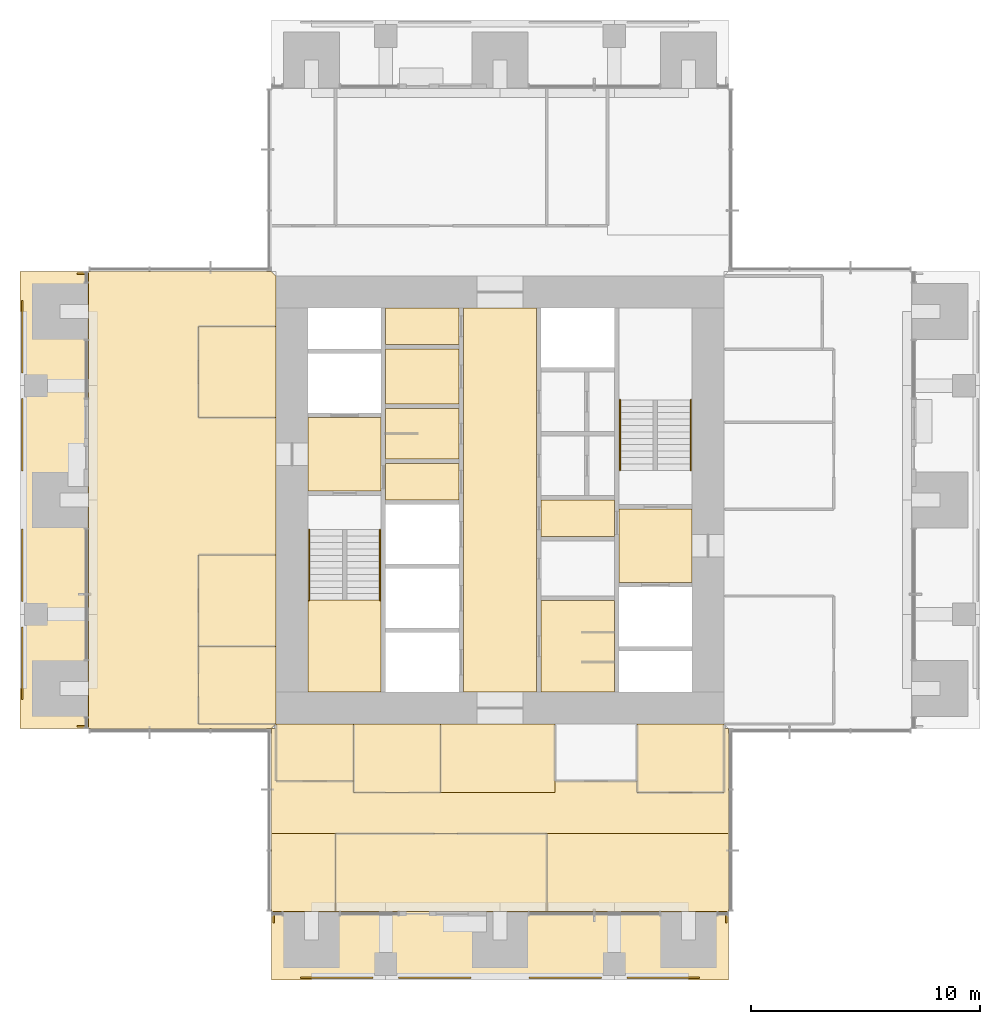
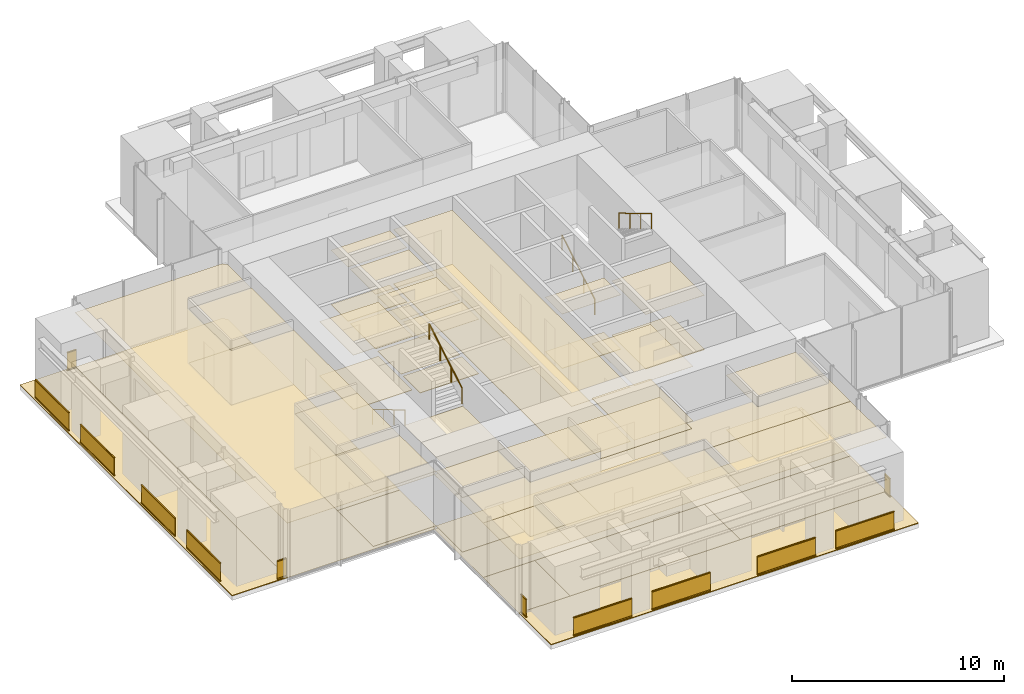
# One storey, part 15 of 17: 45 coverings, 16 railings.
"""IFC4 building model written with IfcOpenShell, lengths in metres."""

from ifc_helpers import new_model, si_unit, direction, frame, origin, origin_2d, place, context, subcontext, project, spatial, polyline, rectangle, circle, outline, extrude, material, layer, layer_set, type_object, element, save


model = new_model("IFC4")

# Units and contexts
model_context = context("Model", 3, precision=1e-05, world=origin(), true_north=direction((0.0, 1.0)))
body_context = subcontext(model_context, "Body", "Model", "MODEL_VIEW")
ifc_project = project(units=[si_unit("LENGTHUNIT", "METRE"), si_unit("AREAUNIT", "SQUARE_METRE"), si_unit("VOLUMEUNIT", "CUBIC_METRE"), si_unit("PLANEANGLEUNIT", "RADIAN"), si_unit("MASSUNIT", "GRAM", prefix="KILO")], contexts=[model_context])

# Site, building, storey
site_placement = place(None, origin())
site = spatial("IfcSite", under=ifc_project, at=site_placement, CompositionType="ELEMENT")
building_placement = place(site_placement, origin())
building = spatial("IfcBuilding", under=site, at=building_placement, Name="Svetlomir Tower", CompositionType="ELEMENT")
storey_placement = place(building_placement, frame((0.0, 0.0, 190.5)))
storey = spatial("IfcBuildingStorey", under=building, at=storey_placement, Name="L45", CompositionType="ELEMENT", Elevation=190.5)

# Railings
ifc_material_1 = material(Name="Bronze anodised aluminium and laminated glass", Category="aluminium")
railing_type_1 = type_object("IfcRailingType", Name="BALCONY GUARD GR1 1100", PredefinedType="GUARDRAIL", material=ifc_material_1)
for number, where, name in (
    (1, (12.27490234375, 0.10009765625, 0.0), "Loggia guard S L45 bay 1"),
    (2, (16.550048828125, 0.10009765625, 0.0), "Loggia guard S L45 bay 2"),
    (3, (22.27490234375, 0.10009765625, 0.0), "Loggia guard S L45 bay 3"),
    (4, (26.550048828125, 0.10009765625, 0.0), "Loggia guard S L45 bay 4"),
):
    element("IfcRailing", number, at=place(storey_placement, frame(where)), inside=storey, type_object=railing_type_1, Name=name, PredefinedType="GUARDRAIL", context=body_context, shape_type="SweptSolid", body=[
        extrude(rectangle(XDim=0.06005859375, YDim=0.10009765625, at=origin_2d()), frame((0.0, 0.0, 0.050048828125), z_axis=(1.0, 0.0, 0.0), x_axis=(0.0, 1.0, 0.0)), (0.0, 0.0, 1.0), 3.175048828125),
        extrude(rectangle(XDim=0.021484375, YDim=0.960205078125, at=origin_2d()), frame((0.0, 0.0, 0.580078125), z_axis=(1.0, 0.0, 0.0), x_axis=(0.0, 1.0, 0.0)), (0.0, 0.0, 1.0), 3.175048828125),
        extrude(rectangle(XDim=0.06005859375, YDim=0.0400390625, at=origin_2d()), frame((0.0, 0.0, 1.080078125), z_axis=(1.0, 0.0, 0.0), x_axis=(0.0, 1.0, 0.0)), (0.0, 0.0, 1.0), 3.175048828125),
    ])
for number, where, name in (
    (5, (11.10009765625, 2.5, 0.0), "Loggia guard S L45 end 1"),
    (6, (30.89990234375, 2.5, 0.0), "Loggia guard S L45 end 2"),
):
    element("IfcRailing", number, at=place(storey_placement, frame(where)), inside=storey, type_object=railing_type_1, Name=name, PredefinedType="GUARDRAIL", context=body_context, shape_type="SweptSolid", body=[
        extrude(rectangle(XDim=0.06005859375, YDim=0.10009765625, at=origin_2d()), frame((0.0, 0.0, 0.050048828125), z_axis=(0.0, 1.0, 0.0), x_axis=(-1.0, 0.0, 0.0)), (0.0, 0.0, 1.0), 0.5),
        extrude(rectangle(XDim=0.021484375, YDim=0.960205078125, at=origin_2d()), frame((0.0, 0.0, 0.580078125), z_axis=(0.0, 1.0, 0.0), x_axis=(-1.0, 0.0, 0.0)), (0.0, 0.0, 1.0), 0.5),
        extrude(rectangle(XDim=0.06005859375, YDim=0.0400390625, at=origin_2d()), frame((0.0, 0.0, 1.080078125), z_axis=(0.0, 1.0, 0.0), x_axis=(-1.0, 0.0, 0.0)), (0.0, 0.0, 1.0), 0.5),
    ])
for number, where, name in (
    (7, (0.10009765625, 12.27490234375, 0.0), "Loggia guard W L45 bay 1"),
    (8, (0.10009765625, 16.550048828125, 0.0), "Loggia guard W L45 bay 2"),
    (9, (0.10009765625, 22.27490234375, 0.0), "Loggia guard W L45 bay 3"),
    (10, (0.10009765625, 26.550048828125, 0.0), "Loggia guard W L45 bay 4"),
):
    element("IfcRailing", number, at=place(storey_placement, frame(where)), inside=storey, type_object=railing_type_1, Name=name, PredefinedType="GUARDRAIL", context=body_context, shape_type="SweptSolid", body=[
        extrude(rectangle(XDim=0.06005859375, YDim=0.10009765625, at=origin_2d()), frame((0.0, 0.0, 0.050048828125), z_axis=(0.0, 1.0, 0.0), x_axis=(-1.0, 0.0, 0.0)), (0.0, 0.0, 1.0), 3.175048828125),
        extrude(rectangle(XDim=0.021484375, YDim=0.960205078125, at=origin_2d()), frame((0.0, 0.0, 0.580078125), z_axis=(0.0, 1.0, 0.0), x_axis=(-1.0, 0.0, 0.0)), (0.0, 0.0, 1.0), 3.175048828125),
        extrude(rectangle(XDim=0.06005859375, YDim=0.0400390625, at=origin_2d()), frame((0.0, 0.0, 1.080078125), z_axis=(0.0, 1.0, 0.0), x_axis=(-1.0, 0.0, 0.0)), (0.0, 0.0, 1.0), 3.175048828125),
    ])
for number, where, name in (
    (11, (2.5, 11.10009765625, 0.0), "Loggia guard W L45 end 1"),
    (12, (2.5, 30.89990234375, 0.0), "Loggia guard W L45 end 2"),
):
    element("IfcRailing", number, at=place(storey_placement, frame(where)), inside=storey, type_object=railing_type_1, Name=name, PredefinedType="GUARDRAIL", context=body_context, shape_type="SweptSolid", body=[
        extrude(rectangle(XDim=0.06005859375, YDim=0.10009765625, at=origin_2d()), frame((0.0, 0.0, 0.050048828125), z_axis=(1.0, 0.0, 0.0), x_axis=(0.0, 1.0, 0.0)), (0.0, 0.0, 1.0), 0.5),
        extrude(rectangle(XDim=0.021484375, YDim=0.960205078125, at=origin_2d()), frame((0.0, 0.0, 0.580078125), z_axis=(1.0, 0.0, 0.0), x_axis=(0.0, 1.0, 0.0)), (0.0, 0.0, 1.0), 0.5),
        extrude(rectangle(XDim=0.06005859375, YDim=0.0400390625, at=origin_2d()), frame((0.0, 0.0, 1.080078125), z_axis=(1.0, 0.0, 0.0), x_axis=(0.0, 1.0, 0.0)), (0.0, 0.0, 1.0), 0.5),
    ])

# Coverings
ifc_material_2 = material(Name="Granite paving slabs on pedestals", Category="masonry")
ifc_layer_1 = layer(ifc_material_2, 0.0400390625)
ifc_layer_set_1 = layer_set([ifc_layer_1], Name="Granite paving slabs on pedestals")
covering_type_1 = type_object("IfcCoveringType", Name="BALCONY PAVING 40", PredefinedType="USERDEFINED", material=ifc_layer_set_1)
covering_1_placement = place(storey_placement, origin())
element("IfcCovering", 13, at=covering_1_placement, inside=storey, type_object=covering_type_1, Name="Loggia paving S L45", ObjectType="BALCONY PAVING", PredefinedType="USERDEFINED", context=body_context, shape_type="SweptSolid", body=[
    extrude(outline(polyline([(11.0, 0.0), (31.0, 0.0), (31.0, 3.0), (11.0, 3.0), (11.0, 0.0)])), origin(), (0.0, 0.0, 1.0), 0.0400390625),
])
covering_2_placement = place(storey_placement, origin())
element("IfcCovering", 14, at=covering_2_placement, inside=storey, type_object=covering_type_1, Name="Loggia paving W L45", ObjectType="BALCONY PAVING", PredefinedType="USERDEFINED", context=body_context, shape_type="SweptSolid", body=[
    extrude(outline(polyline([(0.0, 11.0), (3.0, 11.0), (3.0, 31.0), (0.0, 31.0), (0.0, 11.0)])), origin(), (0.0, 0.0, 1.0), 0.0400390625),
])
ifc_material_3 = material(Name="Carpet tile", Category="textile")
ifc_layer_2 = layer(ifc_material_3, 0.010009765625)
ifc_layer_set_2 = layer_set([ifc_layer_2], Name="Carpet tile")
covering_type_2 = type_object("IfcCoveringType", Name="CARPET TILE FLOOR 10", PredefinedType="FLOORING", material=ifc_layer_set_2)
covering_3_placement = place(storey_placement, origin())
element("IfcCovering", 15, at=covering_3_placement, inside=storey, type_object=covering_type_2, Name="Floor finish L45-17", PredefinedType="FLOORING", context=body_context, shape_type="SweptSolid", body=[
    extrude(outline(polyline([(11.199951171875, 8.699951171875), (14.60009765625, 8.699951171875), (14.60009765625, 11.199951171875), (11.199951171875, 11.199951171875), (11.199951171875, 8.699951171875)])), origin(), (0.0, 0.0, 1.0), 0.010009765625),
])
covering_4_placement = place(storey_placement, origin())
element("IfcCovering", 16, at=covering_4_placement, inside=storey, type_object=covering_type_2, Name="Floor finish L45-18", PredefinedType="FLOORING", context=body_context, shape_type="SweptSolid", body=[
    extrude(outline(polyline([(14.60009765625, 8.199951171875), (18.39990234375, 8.199951171875), (18.39990234375, 11.199951171875), (14.60009765625, 11.199951171875), (14.60009765625, 8.199951171875)])), origin(), (0.0, 0.0, 1.0), 0.010009765625),
])
covering_5_placement = place(storey_placement, origin())
element("IfcCovering", 17, at=covering_5_placement, inside=storey, type_object=covering_type_2, Name="Floor finish L45-20", PredefinedType="FLOORING", context=body_context, shape_type="SweptSolid", body=[
    extrude(outline(polyline([(27.0, 8.199951171875), (30.800048828125, 8.199951171875), (30.800048828125, 11.199951171875), (27.0, 11.199951171875), (27.0, 8.199951171875)])), origin(), (0.0, 0.0, 1.0), 0.010009765625),
])
covering_6_placement = place(storey_placement, origin())
element("IfcCovering", 18, at=covering_6_placement, inside=storey, type_object=covering_type_2, Name="Floor finish L45-21", PredefinedType="FLOORING", context=body_context, shape_type="SweptSolid", body=[
    extrude(outline(polyline([(13.800048828125, 3.0), (23.050048828125, 3.0), (23.050048828125, 6.39990234375), (13.800048828125, 6.39990234375), (13.800048828125, 3.0)])), origin(), (0.0, 0.0, 1.0), 0.010009765625),
])
covering_7_placement = place(storey_placement, origin())
element("IfcCovering", 19, at=covering_7_placement, inside=storey, type_object=covering_type_2, Name="Floor finish L45-29", PredefinedType="FLOORING", context=body_context, shape_type="SweptSolid", body=[
    extrude(outline(polyline([(7.800048828125, 11.199951171875), (11.199951171875, 11.199951171875), (11.199951171875, 14.60009765625), (7.800048828125, 14.60009765625), (7.800048828125, 11.199951171875)])), origin(), (0.0, 0.0, 1.0), 0.010009765625),
])
covering_8_placement = place(storey_placement, origin())
element("IfcCovering", 20, at=covering_8_placement, inside=storey, type_object=covering_type_2, Name="Floor finish L45-30", PredefinedType="FLOORING", context=body_context, shape_type="SweptSolid", body=[
    extrude(outline(polyline([(7.800048828125, 14.60009765625), (11.199951171875, 14.60009765625), (11.199951171875, 18.60009765625), (7.800048828125, 18.60009765625), (7.800048828125, 14.60009765625)])), origin(), (0.0, 0.0, 1.0), 0.010009765625),
])
covering_9_placement = place(storey_placement, origin())
element("IfcCovering", 21, at=covering_9_placement, inside=storey, type_object=covering_type_2, Name="Floor finish L45-31", PredefinedType="FLOORING", context=body_context, shape_type="SweptSolid", body=[
    extrude(outline(polyline([(7.800048828125, 24.60009765625), (11.199951171875, 24.60009765625), (11.199951171875, 28.60009765625), (7.800048828125, 28.60009765625), (7.800048828125, 24.60009765625)])), origin(), (0.0, 0.0, 1.0), 0.010009765625),
])
covering_10_placement = place(storey_placement, origin())
element("IfcCovering", 22, at=covering_10_placement, inside=storey, type_object=covering_type_2, Name="Floor finish L45-32", PredefinedType="FLOORING", context=body_context, shape_type="SweptSolid", body=[
    extrude(outline(polyline([(31.0, 6.39990234375), (11.0, 6.39990234375), (11.0, 11.0), (11.199951171875, 11.0), (11.199951171875, 8.699951171875), (14.60009765625, 8.699951171875), (14.60009765625, 8.199951171875), (23.39990234375, 8.199951171875), (23.39990234375, 8.699951171875), (27.0, 8.699951171875), (27.0, 8.199951171875), (30.800048828125, 8.199951171875), (30.800048828125, 11.0), (31.0, 11.0), (31.0, 6.39990234375)])), origin(), (0.0, 0.0, 1.0), 0.010009765625),
])
covering_11_placement = place(storey_placement, origin())
element("IfcCovering", 23, at=covering_11_placement, inside=storey, type_object=covering_type_2, Name="Floor finish L45-34", PredefinedType="FLOORING", context=body_context, shape_type="SweptSolid", body=[
    extrude(outline(polyline([(13.800048828125, 6.39990234375), (13.800048828125, 3.0), (11.0, 3.0), (11.0, 6.39990234375), (13.800048828125, 6.39990234375)])), origin(), (0.0, 0.0, 1.0), 0.010009765625),
])
covering_12_placement = place(storey_placement, origin())
element("IfcCovering", 24, at=covering_12_placement, inside=storey, type_object=covering_type_2, Name="Floor finish L45-35", PredefinedType="FLOORING", context=body_context, shape_type="SweptSolid", body=[
    extrude(outline(polyline([(23.050048828125, 3.0), (23.050048828125, 6.39990234375), (31.0, 6.39990234375), (31.0, 3.0), (23.050048828125, 3.0)])), origin(), (0.0, 0.0, 1.0), 0.010009765625),
])
covering_13_placement = place(storey_placement, origin())
element("IfcCovering", 25, at=covering_13_placement, inside=storey, type_object=covering_type_2, Name="Floor finish L45-36", PredefinedType="FLOORING", context=body_context, shape_type="SweptSolid", body=[
    extrude(outline(polyline([(23.39990234375, 11.199951171875), (23.39990234375, 8.199951171875), (18.39990234375, 8.199951171875), (18.39990234375, 11.199951171875), (23.39990234375, 11.199951171875)])), origin(), (0.0, 0.0, 1.0), 0.010009765625),
])
covering_14_placement = place(storey_placement, origin())
element("IfcCovering", 26, at=covering_14_placement, inside=storey, type_object=covering_type_2, Name="Floor finish L45-39", PredefinedType="FLOORING", context=body_context, shape_type="SweptSolid", body=[
    extrude(outline(polyline([(3.0, 31.0), (11.0, 31.0), (11.199951171875, 30.800048828125), (11.199951171875, 28.60009765625), (7.800048828125, 28.60009765625), (7.800048828125, 24.60009765625), (11.199951171875, 24.60009765625), (11.199951171875, 18.60009765625), (7.800048828125, 18.60009765625), (7.800048828125, 11.199951171875), (11.199951171875, 11.199951171875), (11.0, 11.0), (3.0, 11.0), (3.0, 31.0)])), origin(), (0.0, 0.0, 1.0), 0.010009765625),
])
ifc_material_4 = material(Name="Ceramic floor tile", Category="ceramic")
ifc_layer_3 = layer(ifc_material_4, 0.014892578125)
ifc_layer_set_3 = layer_set([ifc_layer_3], Name="Ceramic floor tile")
covering_type_3 = type_object("IfcCoveringType", Name="CERAMIC TILE FLOOR 15", PredefinedType="FLOORING", material=ifc_layer_set_3)
covering_15_placement = place(storey_placement, origin())
element("IfcCovering", 27, at=covering_15_placement, inside=storey, type_object=covering_type_3, Name="Floor finish L45-04", PredefinedType="FLOORING", context=body_context, shape_type="SweptSolid", body=[
    extrude(outline(polyline([(16.0, 22.800048828125), (19.199951171875, 22.800048828125), (19.199951171875, 25.0), (16.0, 25.0), (16.0, 22.800048828125)])), origin(), (0.0, 0.0, 1.0), 0.014892578125),
])
covering_16_placement = place(storey_placement, origin())
element("IfcCovering", 28, at=covering_16_placement, inside=storey, type_object=covering_type_3, Name="Floor finish L45-05", PredefinedType="FLOORING", context=body_context, shape_type="SweptSolid", body=[
    extrude(outline(polyline([(16.0, 25.199951171875), (19.199951171875, 25.199951171875), (19.199951171875, 27.60009765625), (16.0, 27.60009765625), (16.0, 25.199951171875)])), origin(), (0.0, 0.0, 1.0), 0.014892578125),
])
covering_17_placement = place(storey_placement, origin())
element("IfcCovering", 29, at=covering_17_placement, inside=storey, type_object=covering_type_3, Name="Floor finish L45-08", PredefinedType="FLOORING", context=body_context, shape_type="SweptSolid", body=[
    extrude(outline(polyline([(22.800048828125, 12.60009765625), (26.0, 12.60009765625), (26.0, 16.60009765625), (22.800048828125, 16.60009765625), (22.800048828125, 12.60009765625)])), origin(), (0.0, 0.0, 1.0), 0.014892578125),
])

# Railings
ifc_material_5 = material(Name="Stainless steel", Category="steel")
railing_type_2 = type_object("IfcRailingType", Name="HANDRAIL HR1 900", PredefinedType="HANDRAIL", material=ifc_material_5)
railing_1_placement = place(storey_placement, frame((12.64990234375, 19.699951171875, 0.166748046875)))
element("IfcRailing", 30, at=railing_1_placement, inside=storey, type_object=railing_type_2, Name="Handrail S1 flight 1 L45", PredefinedType="HANDRAIL", context=body_context, shape_type="SweptSolid", body=[
    extrude(circle(Radius=0.02392578125, at=origin_2d()), frame((0.0, 0.0, 0.8759765625), z_axis=(0.0, -0.859290745958, 0.51148745235), x_axis=(1.0, 0.0, 0.0)), (0.0, 0.0, 1.0), 3.584228515625),
    extrude(circle(Radius=0.02099609375, at=origin_2d()), origin(), (0.0, 0.0, 1.0), 0.851806640625),
    extrude(circle(Radius=0.02099609375, at=origin_2d()), frame((0.0, -1.026611328125, 0.611083984375)), (0.0, 0.0, 1.0), 0.851806640625),
    extrude(circle(Radius=0.02099609375, at=origin_2d()), frame((0.0, -2.05322265625, 1.22216796875)), (0.0, 0.0, 1.0), 0.851806640625),
    extrude(circle(Radius=0.02099609375, at=origin_2d()), frame((0.0, -3.079833984375, 1.833251953125)), (0.0, 0.0, 1.0), 0.851806640625),
])
for number, where, name in (
    (31, (15.75, 16.6201171875, 2.166748046875), "Handrail S1 flight 2 L45"),
    (32, (26.25, 22.300048828125, 0.166748046875), "Handrail S2 flight 1 L45"),
):
    element("IfcRailing", number, at=place(storey_placement, frame(where)), inside=storey, type_object=railing_type_2, Name=name, PredefinedType="HANDRAIL", context=body_context, shape_type="SweptSolid", body=[
        extrude(circle(Radius=0.02392578125, at=origin_2d()), frame((0.0, 0.0, 0.8759765625), z_axis=(0.0, 0.859290745958, 0.51148745235), x_axis=(-1.0, 0.0, 0.0)), (0.0, 0.0, 1.0), 3.584228515625),
        extrude(circle(Radius=0.02099609375, at=origin_2d()), origin(), (0.0, 0.0, 1.0), 0.851806640625),
        extrude(circle(Radius=0.02099609375, at=origin_2d()), frame((0.0, 1.026611328125, 0.611083984375)), (0.0, 0.0, 1.0), 0.851806640625),
        extrude(circle(Radius=0.02099609375, at=origin_2d()), frame((0.0, 2.05322265625, 1.22216796875)), (0.0, 0.0, 1.0), 0.851806640625),
        extrude(circle(Radius=0.02099609375, at=origin_2d()), frame((0.0, 3.079833984375, 1.833251953125)), (0.0, 0.0, 1.0), 0.851806640625),
    ])
railing_2_placement = place(storey_placement, frame((29.35009765625, 25.3798828125, 2.166748046875)))
element("IfcRailing", 33, at=railing_2_placement, inside=storey, type_object=railing_type_2, Name="Handrail S2 flight 2 L45", PredefinedType="HANDRAIL", context=body_context, shape_type="SweptSolid", body=[
    extrude(circle(Radius=0.02392578125, at=origin_2d()), frame((0.0, 0.0, 0.8759765625), z_axis=(0.0, -0.859290745958, 0.51148745235), x_axis=(1.0, 0.0, 0.0)), (0.0, 0.0, 1.0), 3.584228515625),
    extrude(circle(Radius=0.02099609375, at=origin_2d()), origin(), (0.0, 0.0, 1.0), 0.851806640625),
    extrude(circle(Radius=0.02099609375, at=origin_2d()), frame((0.0, -1.026611328125, 0.611083984375)), (0.0, 0.0, 1.0), 0.851806640625),
    extrude(circle(Radius=0.02099609375, at=origin_2d()), frame((0.0, -2.05322265625, 1.22216796875)), (0.0, 0.0, 1.0), 0.851806640625),
    extrude(circle(Radius=0.02099609375, at=origin_2d()), frame((0.0, -3.079833984375, 1.833251953125)), (0.0, 0.0, 1.0), 0.851806640625),
])

# Coverings
ifc_material_6 = material(Name="Moisture resistant plasterboard ceiling", Category="gypsum")
ifc_layer_4 = layer(ifc_material_6, 0.012451171875)
ifc_layer_set_4 = layer_set([ifc_layer_4], Name="Moisture resistant plasterboard ceiling")
covering_type_4 = type_object("IfcCoveringType", Name="MOISTURE RESISTANT CEILING 12.5", PredefinedType="CEILING", material=ifc_layer_set_4)
covering_18_placement = place(storey_placement, frame((0.0, 0.0, 3.137451171875)))
element("IfcCovering", 34, at=covering_18_placement, inside=storey, type_object=covering_type_4, Name="Ceiling L45-04", PredefinedType="CEILING", context=body_context, shape_type="SweptSolid", body=[
    extrude(outline(polyline([(16.0, 22.800048828125), (19.199951171875, 22.800048828125), (19.199951171875, 25.0), (16.0, 25.0), (16.0, 22.800048828125)])), origin(), (0.0, 0.0, 1.0), 0.012451171875),
])
covering_19_placement = place(storey_placement, frame((0.0, 0.0, 3.137451171875)))
element("IfcCovering", 35, at=covering_19_placement, inside=storey, type_object=covering_type_4, Name="Ceiling L45-05", PredefinedType="CEILING", context=body_context, shape_type="SweptSolid", body=[
    extrude(outline(polyline([(16.0, 25.199951171875), (19.199951171875, 25.199951171875), (19.199951171875, 27.60009765625), (16.0, 27.60009765625), (16.0, 25.199951171875)])), origin(), (0.0, 0.0, 1.0), 0.012451171875),
])
covering_20_placement = place(storey_placement, frame((0.0, 0.0, 3.137451171875)))
element("IfcCovering", 36, at=covering_20_placement, inside=storey, type_object=covering_type_4, Name="Ceiling L45-08", PredefinedType="CEILING", context=body_context, shape_type="SweptSolid", body=[
    extrude(outline(polyline([(22.800048828125, 12.60009765625), (26.0, 12.60009765625), (26.0, 16.60009765625), (22.800048828125, 16.60009765625), (22.800048828125, 12.60009765625)])), origin(), (0.0, 0.0, 1.0), 0.012451171875),
])
ifc_material_7 = material(Name="Gypsum plasterboard ceiling", Category="gypsum")
ifc_layer_5 = layer(ifc_material_7, 0.014892578125)
ifc_layer_set_5 = layer_set([ifc_layer_5], Name="Gypsum plasterboard ceiling")
covering_type_5 = type_object("IfcCoveringType", Name="PLASTERBOARD CEILING 15", PredefinedType="CEILING", material=ifc_layer_set_5)
covering_21_placement = place(storey_placement, frame((0.0, 0.0, 3.135009765625)))
element("IfcCovering", 37, at=covering_21_placement, inside=storey, type_object=covering_type_5, Name="Ceiling L45-02", PredefinedType="CEILING", context=body_context, shape_type="SweptSolid", body=[
    extrude(outline(polyline([(12.60009765625, 21.39990234375), (15.800048828125, 21.39990234375), (15.800048828125, 24.60009765625), (12.60009765625, 24.60009765625), (12.60009765625, 21.39990234375)])), origin(), (0.0, 0.0, 1.0), 0.014892578125),
])
covering_22_placement = place(storey_placement, frame((0.0, 0.0, 3.135009765625)))
element("IfcCovering", 38, at=covering_22_placement, inside=storey, type_object=covering_type_5, Name="Ceiling L45-03", PredefinedType="CEILING", context=body_context, shape_type="SweptSolid", body=[
    extrude(outline(polyline([(16.0, 21.0), (19.199951171875, 21.0), (19.199951171875, 22.60009765625), (16.0, 22.60009765625), (16.0, 21.0)])), origin(), (0.0, 0.0, 1.0), 0.014892578125),
])
covering_23_placement = place(storey_placement, frame((0.0, 0.0, 3.135009765625)))
element("IfcCovering", 39, at=covering_23_placement, inside=storey, type_object=covering_type_5, Name="Ceiling L45-06", PredefinedType="CEILING", context=body_context, shape_type="SweptSolid", body=[
    extrude(outline(polyline([(16.0, 27.800048828125), (19.199951171875, 27.800048828125), (19.199951171875, 29.39990234375), (16.0, 29.39990234375), (16.0, 27.800048828125)])), origin(), (0.0, 0.0, 1.0), 0.014892578125),
])
covering_24_placement = place(storey_placement, frame((0.0, 0.0, 3.135009765625)))
element("IfcCovering", 40, at=covering_24_placement, inside=storey, type_object=covering_type_5, Name="Ceiling L45-07", PredefinedType="CEILING", context=body_context, shape_type="SweptSolid", body=[
    extrude(outline(polyline([(19.39990234375, 12.60009765625), (22.60009765625, 12.60009765625), (22.60009765625, 29.39990234375), (19.39990234375, 29.39990234375), (19.39990234375, 12.60009765625)])), origin(), (0.0, 0.0, 1.0), 0.014892578125),
])
covering_25_placement = place(storey_placement, frame((0.0, 0.0, 3.135009765625)))
element("IfcCovering", 41, at=covering_25_placement, inside=storey, type_object=covering_type_5, Name="Ceiling L45-10", PredefinedType="CEILING", context=body_context, shape_type="SweptSolid", body=[
    extrude(outline(polyline([(22.800048828125, 19.39990234375), (26.0, 19.39990234375), (26.0, 21.0), (22.800048828125, 21.0), (22.800048828125, 19.39990234375)])), origin(), (0.0, 0.0, 1.0), 0.014892578125),
])
covering_26_placement = place(storey_placement, frame((0.0, 0.0, 3.135009765625)))
element("IfcCovering", 42, at=covering_26_placement, inside=storey, type_object=covering_type_5, Name="Ceiling L45-11", PredefinedType="CEILING", context=body_context, shape_type="SweptSolid", body=[
    extrude(outline(polyline([(26.199951171875, 17.39990234375), (29.39990234375, 17.39990234375), (29.39990234375, 20.60009765625), (26.199951171875, 20.60009765625), (26.199951171875, 17.39990234375)])), origin(), (0.0, 0.0, 1.0), 0.014892578125),
])
ifc_material_8 = material(Name="Studded rubber floor finish", Category="rubber")
ifc_layer_6 = layer(ifc_material_8, 0.006103515625)
ifc_layer_set_6 = layer_set([ifc_layer_6], Name="Studded rubber floor finish")
covering_type_6 = type_object("IfcCoveringType", Name="RUBBER LANDING FINISH 6", PredefinedType="FLOORING", material=ifc_layer_set_6)
covering_27_placement = place(storey_placement, frame((0.0, 0.0, 2.0)))
element("IfcCovering", 43, at=covering_27_placement, inside=storey, type_object=covering_type_6, Name="Stair S1 landing finish L45", PredefinedType="FLOORING", context=body_context, shape_type="SweptSolid", body=[
    extrude(outline(polyline([(12.60009765625, 12.60009765625), (15.800048828125, 12.60009765625), (15.800048828125, 16.6201171875), (12.60009765625, 16.6201171875), (12.60009765625, 12.60009765625)])), origin(), (0.0, 0.0, 1.0), 0.006103515625),
])
ifc_material_9 = material(Name="Mineral fibre ceiling tile", Category="mineral")
ifc_layer_7 = layer(ifc_material_9, 0.02001953125)
ifc_layer_set_7 = layer_set([ifc_layer_7], Name="Mineral fibre ceiling tile")
covering_type_7 = type_object("IfcCoveringType", Name="SUSPENDED CEILING 20", PredefinedType="CEILING", material=ifc_layer_set_7)
covering_28_placement = place(storey_placement, frame((0.0, 0.0, 3.1298828125)))
element("IfcCovering", 44, at=covering_28_placement, inside=storey, type_object=covering_type_7, Name="Ceiling L45-17", PredefinedType="CEILING", context=body_context, shape_type="SweptSolid", body=[
    extrude(outline(polyline([(11.199951171875, 8.699951171875), (14.60009765625, 8.699951171875), (14.60009765625, 11.199951171875), (11.199951171875, 11.199951171875), (11.199951171875, 8.699951171875)])), origin(), (0.0, 0.0, 1.0), 0.02001953125),
])
covering_29_placement = place(storey_placement, frame((0.0, 0.0, 3.1298828125)))
element("IfcCovering", 45, at=covering_29_placement, inside=storey, type_object=covering_type_7, Name="Ceiling L45-18", PredefinedType="CEILING", context=body_context, shape_type="SweptSolid", body=[
    extrude(outline(polyline([(14.60009765625, 8.199951171875), (18.39990234375, 8.199951171875), (18.39990234375, 11.199951171875), (14.60009765625, 11.199951171875), (14.60009765625, 8.199951171875)])), origin(), (0.0, 0.0, 1.0), 0.02001953125),
])
covering_30_placement = place(storey_placement, frame((0.0, 0.0, 3.1298828125)))
element("IfcCovering", 46, at=covering_30_placement, inside=storey, type_object=covering_type_7, Name="Ceiling L45-20", PredefinedType="CEILING", context=body_context, shape_type="SweptSolid", body=[
    extrude(outline(polyline([(27.0, 8.199951171875), (30.800048828125, 8.199951171875), (30.800048828125, 11.199951171875), (27.0, 11.199951171875), (27.0, 8.199951171875)])), origin(), (0.0, 0.0, 1.0), 0.02001953125),
])
covering_31_placement = place(storey_placement, frame((0.0, 0.0, 3.1298828125)))
element("IfcCovering", 47, at=covering_31_placement, inside=storey, type_object=covering_type_7, Name="Ceiling L45-21", PredefinedType="CEILING", context=body_context, shape_type="SweptSolid", body=[
    extrude(outline(polyline([(13.800048828125, 3.0), (23.050048828125, 3.0), (23.050048828125, 6.39990234375), (13.800048828125, 6.39990234375), (13.800048828125, 3.0)])), origin(), (0.0, 0.0, 1.0), 0.02001953125),
])
covering_32_placement = place(storey_placement, frame((0.0, 0.0, 3.1298828125)))
element("IfcCovering", 48, at=covering_32_placement, inside=storey, type_object=covering_type_7, Name="Ceiling L45-29", PredefinedType="CEILING", context=body_context, shape_type="SweptSolid", body=[
    extrude(outline(polyline([(7.800048828125, 11.199951171875), (11.199951171875, 11.199951171875), (11.199951171875, 14.60009765625), (7.800048828125, 14.60009765625), (7.800048828125, 11.199951171875)])), origin(), (0.0, 0.0, 1.0), 0.02001953125),
])
covering_33_placement = place(storey_placement, frame((0.0, 0.0, 3.1298828125)))
element("IfcCovering", 49, at=covering_33_placement, inside=storey, type_object=covering_type_7, Name="Ceiling L45-30", PredefinedType="CEILING", context=body_context, shape_type="SweptSolid", body=[
    extrude(outline(polyline([(7.800048828125, 14.60009765625), (11.199951171875, 14.60009765625), (11.199951171875, 18.60009765625), (7.800048828125, 18.60009765625), (7.800048828125, 14.60009765625)])), origin(), (0.0, 0.0, 1.0), 0.02001953125),
])
covering_34_placement = place(storey_placement, frame((0.0, 0.0, 3.1298828125)))
element("IfcCovering", 50, at=covering_34_placement, inside=storey, type_object=covering_type_7, Name="Ceiling L45-31", PredefinedType="CEILING", context=body_context, shape_type="SweptSolid", body=[
    extrude(outline(polyline([(7.800048828125, 24.60009765625), (11.199951171875, 24.60009765625), (11.199951171875, 28.60009765625), (7.800048828125, 28.60009765625), (7.800048828125, 24.60009765625)])), origin(), (0.0, 0.0, 1.0), 0.02001953125),
])
covering_35_placement = place(storey_placement, frame((0.0, 0.0, 3.1298828125)))
element("IfcCovering", 51, at=covering_35_placement, inside=storey, type_object=covering_type_7, Name="Ceiling L45-32", PredefinedType="CEILING", context=body_context, shape_type="SweptSolid", body=[
    extrude(outline(polyline([(31.0, 6.39990234375), (11.0, 6.39990234375), (11.0, 11.0), (11.199951171875, 11.0), (11.199951171875, 8.699951171875), (14.60009765625, 8.699951171875), (14.60009765625, 8.199951171875), (23.39990234375, 8.199951171875), (23.39990234375, 8.699951171875), (27.0, 8.699951171875), (27.0, 8.199951171875), (30.800048828125, 8.199951171875), (30.800048828125, 11.0), (31.0, 11.0), (31.0, 6.39990234375)])), origin(), (0.0, 0.0, 1.0), 0.02001953125),
])
covering_36_placement = place(storey_placement, frame((0.0, 0.0, 3.1298828125)))
element("IfcCovering", 52, at=covering_36_placement, inside=storey, type_object=covering_type_7, Name="Ceiling L45-34", PredefinedType="CEILING", context=body_context, shape_type="SweptSolid", body=[
    extrude(outline(polyline([(13.800048828125, 6.39990234375), (13.800048828125, 3.0), (11.0, 3.0), (11.0, 6.39990234375), (13.800048828125, 6.39990234375)])), origin(), (0.0, 0.0, 1.0), 0.02001953125),
])
covering_37_placement = place(storey_placement, frame((0.0, 0.0, 3.1298828125)))
element("IfcCovering", 53, at=covering_37_placement, inside=storey, type_object=covering_type_7, Name="Ceiling L45-35", PredefinedType="CEILING", context=body_context, shape_type="SweptSolid", body=[
    extrude(outline(polyline([(23.050048828125, 3.0), (23.050048828125, 6.39990234375), (31.0, 6.39990234375), (31.0, 3.0), (23.050048828125, 3.0)])), origin(), (0.0, 0.0, 1.0), 0.02001953125),
])
covering_38_placement = place(storey_placement, frame((0.0, 0.0, 3.1298828125)))
element("IfcCovering", 54, at=covering_38_placement, inside=storey, type_object=covering_type_7, Name="Ceiling L45-36", PredefinedType="CEILING", context=body_context, shape_type="SweptSolid", body=[
    extrude(outline(polyline([(23.39990234375, 11.199951171875), (23.39990234375, 8.199951171875), (18.39990234375, 8.199951171875), (18.39990234375, 11.199951171875), (23.39990234375, 11.199951171875)])), origin(), (0.0, 0.0, 1.0), 0.02001953125),
])
covering_39_placement = place(storey_placement, frame((0.0, 0.0, 3.1298828125)))
element("IfcCovering", 55, at=covering_39_placement, inside=storey, type_object=covering_type_7, Name="Ceiling L45-39", PredefinedType="CEILING", context=body_context, shape_type="SweptSolid", body=[
    extrude(outline(polyline([(3.0, 31.0), (11.0, 31.0), (11.199951171875, 30.800048828125), (11.199951171875, 28.60009765625), (7.800048828125, 28.60009765625), (7.800048828125, 24.60009765625), (11.199951171875, 24.60009765625), (11.199951171875, 18.60009765625), (7.800048828125, 18.60009765625), (7.800048828125, 11.199951171875), (11.199951171875, 11.199951171875), (11.0, 11.0), (3.0, 11.0), (3.0, 31.0)])), origin(), (0.0, 0.0, 1.0), 0.02001953125),
])
ifc_material_10 = material(Name="Bronze-aggregate terrazzo", Category="stone")
ifc_layer_8 = layer(ifc_material_10, 0.030029296875)
ifc_layer_set_8 = layer_set([ifc_layer_8], Name="Bronze-aggregate terrazzo")
covering_type_8 = type_object("IfcCoveringType", Name="TERRAZZO FLOOR 30", PredefinedType="FLOORING", material=ifc_layer_set_8)
covering_40_placement = place(storey_placement, origin())
element("IfcCovering", 56, at=covering_40_placement, inside=storey, type_object=covering_type_8, Name="Floor finish L45-02", PredefinedType="FLOORING", context=body_context, shape_type="SweptSolid", body=[
    extrude(outline(polyline([(12.60009765625, 21.39990234375), (15.800048828125, 21.39990234375), (15.800048828125, 24.60009765625), (12.60009765625, 24.60009765625), (12.60009765625, 21.39990234375)])), origin(), (0.0, 0.0, 1.0), 0.030029296875),
])
covering_41_placement = place(storey_placement, origin())
element("IfcCovering", 57, at=covering_41_placement, inside=storey, type_object=covering_type_8, Name="Floor finish L45-03", PredefinedType="FLOORING", context=body_context, shape_type="SweptSolid", body=[
    extrude(outline(polyline([(16.0, 21.0), (19.199951171875, 21.0), (19.199951171875, 22.60009765625), (16.0, 22.60009765625), (16.0, 21.0)])), origin(), (0.0, 0.0, 1.0), 0.030029296875),
])
covering_42_placement = place(storey_placement, origin())
element("IfcCovering", 58, at=covering_42_placement, inside=storey, type_object=covering_type_8, Name="Floor finish L45-06", PredefinedType="FLOORING", context=body_context, shape_type="SweptSolid", body=[
    extrude(outline(polyline([(16.0, 27.800048828125), (19.199951171875, 27.800048828125), (19.199951171875, 29.39990234375), (16.0, 29.39990234375), (16.0, 27.800048828125)])), origin(), (0.0, 0.0, 1.0), 0.030029296875),
])
covering_43_placement = place(storey_placement, origin())
element("IfcCovering", 59, at=covering_43_placement, inside=storey, type_object=covering_type_8, Name="Floor finish L45-07", PredefinedType="FLOORING", context=body_context, shape_type="SweptSolid", body=[
    extrude(outline(polyline([(19.39990234375, 12.60009765625), (22.60009765625, 12.60009765625), (22.60009765625, 29.39990234375), (19.39990234375, 29.39990234375), (19.39990234375, 12.60009765625)])), origin(), (0.0, 0.0, 1.0), 0.030029296875),
])
covering_44_placement = place(storey_placement, origin())
element("IfcCovering", 60, at=covering_44_placement, inside=storey, type_object=covering_type_8, Name="Floor finish L45-10", PredefinedType="FLOORING", context=body_context, shape_type="SweptSolid", body=[
    extrude(outline(polyline([(22.800048828125, 19.39990234375), (26.0, 19.39990234375), (26.0, 21.0), (22.800048828125, 21.0), (22.800048828125, 19.39990234375)])), origin(), (0.0, 0.0, 1.0), 0.030029296875),
])
covering_45_placement = place(storey_placement, origin())
element("IfcCovering", 61, at=covering_45_placement, inside=storey, type_object=covering_type_8, Name="Floor finish L45-11", PredefinedType="FLOORING", context=body_context, shape_type="SweptSolid", body=[
    extrude(outline(polyline([(26.199951171875, 17.39990234375), (29.39990234375, 17.39990234375), (29.39990234375, 20.60009765625), (26.199951171875, 20.60009765625), (26.199951171875, 17.39990234375)])), origin(), (0.0, 0.0, 1.0), 0.030029296875),
])

save(model, "model.ifc")
